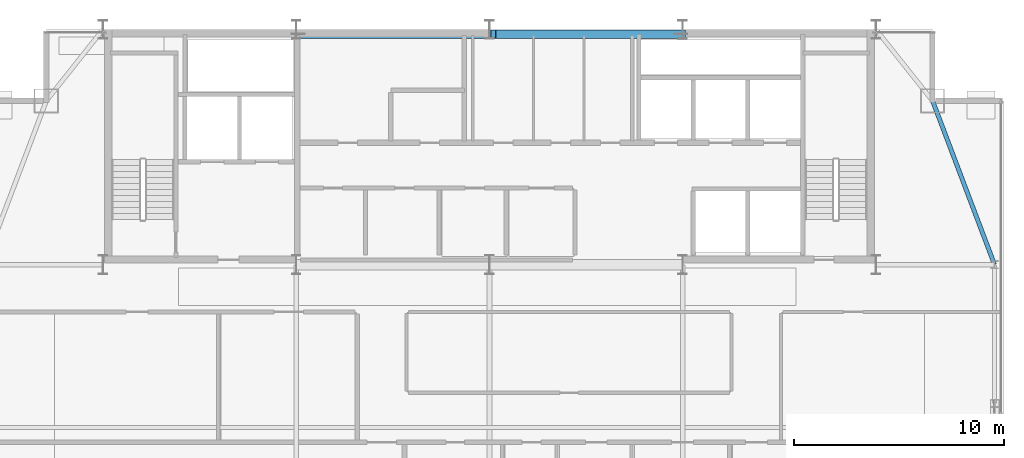
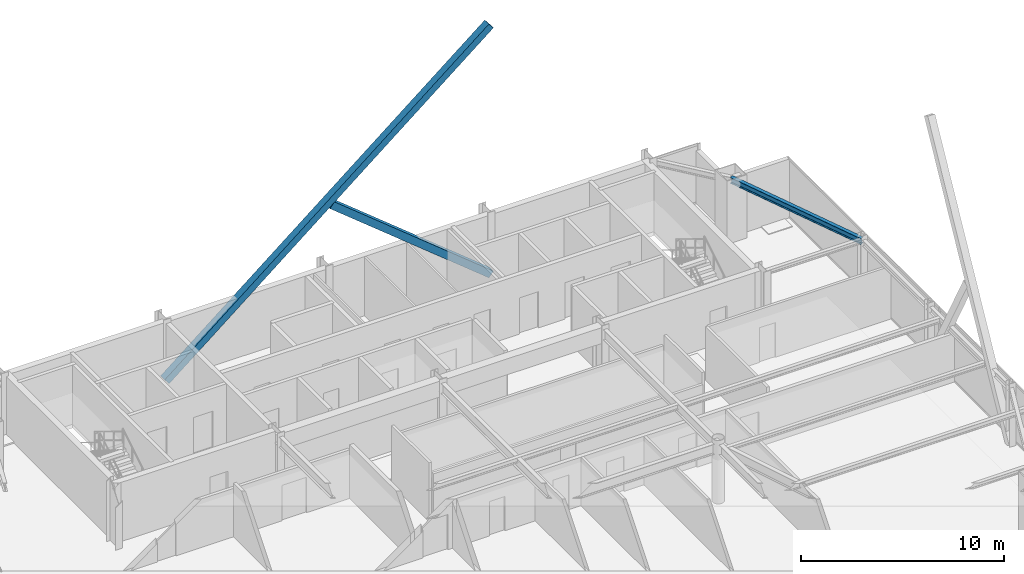
# One storey, part 23 of 33: 2 members, 1 beam.
"""IFC4 building model written with IfcOpenShell, lengths in metres."""

from ifc_helpers import new_model, si_unit, direction, frame, origin, origin_2d, place, context, subcontext, project, spatial, hollow_rectangle, i_section, extrude, source, transform, mapped, material, material_profile, profile_set, type_object, type_shapes, element, save


model = new_model("IFC4")

# Units and contexts
model_context = context("Model", 3, precision=1e-05, world=origin(), true_north=direction((0.0, 1.0)))
body_context = subcontext(model_context, "Body", "Model", "MODEL_VIEW")
ifc_project = project(units=[si_unit("LENGTHUNIT", "METRE"), si_unit("AREAUNIT", "SQUARE_METRE"), si_unit("VOLUMEUNIT", "CUBIC_METRE"), si_unit("PLANEANGLEUNIT", "RADIAN"), si_unit("MASSUNIT", "GRAM", prefix="KILO")], contexts=[model_context])

# Site, building, storey
site_placement = place(None, origin())
site = spatial("IfcSite", under=ifc_project, at=site_placement, CompositionType="ELEMENT")
building_placement = place(site_placement, origin())
building = spatial("IfcBuilding", under=site, at=building_placement, Name="Varnel Quay Broadcast Tower", CompositionType="ELEMENT")
storey_placement = place(building_placement, frame((0.0, 0.0, 199.800048828125)))
storey = spatial("IfcBuildingStorey", under=building, at=storey_placement, Name="L49", CompositionType="ELEMENT", Elevation=199.800048828125)

# Beam
ifc_material = material(Name="Structural Steel CSA G40.21 350W", Category="steel")
ifc_material_profile_1 = material_profile(ifc_material, i_section(OverallWidth=0.205078125, OverallDepth=0.35400390625, WebThickness=0.009521484375, FlangeThickness=0.016845703125, FilletRadius=0.012939453125, at=origin_2d()), Name="W360X79")
ifc_profile_set_1 = profile_set([ifc_material_profile_1], Name="Structural Steel CSA G40.21 350W")
beam_type = type_object("IfcBeamType", Name="Beam_W360X79", PredefinedType="SPANDREL", material=ifc_profile_set_1)
shared_shape_1 = source(origin(), body_context, "Body", "SweptSolid", [
    extrude(i_section(OverallWidth=0.205078125, OverallDepth=0.35400390625, WebThickness=0.009521484375, FlangeThickness=0.016845703125, FilletRadius=0.012939453125, at=origin_2d()), origin(), (0.0, 0.0, 1.0), 8.29931640625),
])
type_shapes(beam_type, [shared_shape_1])
beam_placement = place(storey_placement, frame((58.04296875, 35.61865234375, 3.373046875), z_axis=(-0.353739782058, 0.935343876117, 0.0), x_axis=(-0.935343876117, -0.353739782058, 0.0)))
element("IfcBeam", 1, at=beam_placement, inside=storey, type_object=beam_type, Name="L49 East Spandrel TC-E3-MC-NE", PredefinedType="SPANDREL", context=body_context, shape_type="MappedRepresentation", body=[
    mapped(shared_shape_1, transform((0.0, 0.0, 0.0), x_axis=(1.0, 0.0, 0.0), y_axis=(0.0, 1.0, 0.0), z_axis=(0.0, 0.0, 1.0), scale=1.0)),
])

# Members
ifc_material_profile_2 = material_profile(ifc_material, hollow_rectangle(XDim=0.406005859375, YDim=0.406005859375, WallThickness=0.01611328125, at=origin_2d()), Name="HSS406X406X16")
ifc_profile_set_2 = profile_set([ifc_material_profile_2], Name="Structural Steel CSA G40.21 350W")
member_type = type_object("IfcMemberType", Name="Brace_HSS406X406X16", PredefinedType="BRACE", material=ifc_profile_set_2)
shared_shape_2 = source(origin(), body_context, "Body", "SweptSolid", [
    extrude(hollow_rectangle(XDim=0.406005859375, YDim=0.406005859375, WallThickness=0.01611328125, at=origin_2d()), origin(), (0.0, 0.0, 1.0), 23.6826171875),
])
member_1_placement = place(storey_placement, frame((24.800048828125, 46.580078125, 0.02001953125), z_axis=(0.77694013059, 0.0, 0.629574486045), x_axis=(0.0, 1.0, 0.0)))
element("IfcMember", 2, at=member_1_placement, inside=storey, type_object=member_type, Name="Zone 4 Mega-Brace N-CT1 Continuous Diag A", PredefinedType="BRACE", context=body_context, shape_type="MappedRepresentation", body=[
    mapped(shared_shape_2, transform((0.0, 0.0, 0.0), x_axis=(1.0, 0.0, 0.0), y_axis=(0.0, 1.0, 0.0), z_axis=(0.0, 0.0, 1.0), scale=1.0)),
])
shared_shape_3 = source(origin(), body_context, "Body", "SweptSolid", [
    extrude(hollow_rectangle(XDim=0.406005859375, YDim=0.406005859375, WallThickness=0.01611328125, at=origin_2d()), origin(), (0.0, 0.0, 1.0), 11.608642578125),
])
type_shapes(member_type, [shared_shape_2, shared_shape_3])
member_2_placement = place(storey_placement, frame((43.199951171875, 46.580078125, 0.02001953125), z_axis=(-0.776938680611, 0.0, 0.629576275418), x_axis=(0.0, -1.0, 0.0)))
element("IfcMember", 3, at=member_2_placement, inside=storey, type_object=member_type, Name="Zone 4 Mega-Brace N-CT1 Split Diag B1", PredefinedType="BRACE", context=body_context, shape_type="MappedRepresentation", body=[
    mapped(shared_shape_3, transform((0.0, 0.0, 0.0), x_axis=(1.0, 0.0, 0.0), y_axis=(0.0, 1.0, 0.0), z_axis=(0.0, 0.0, 1.0), scale=1.0)),
])

save(model, "model.ifc")
